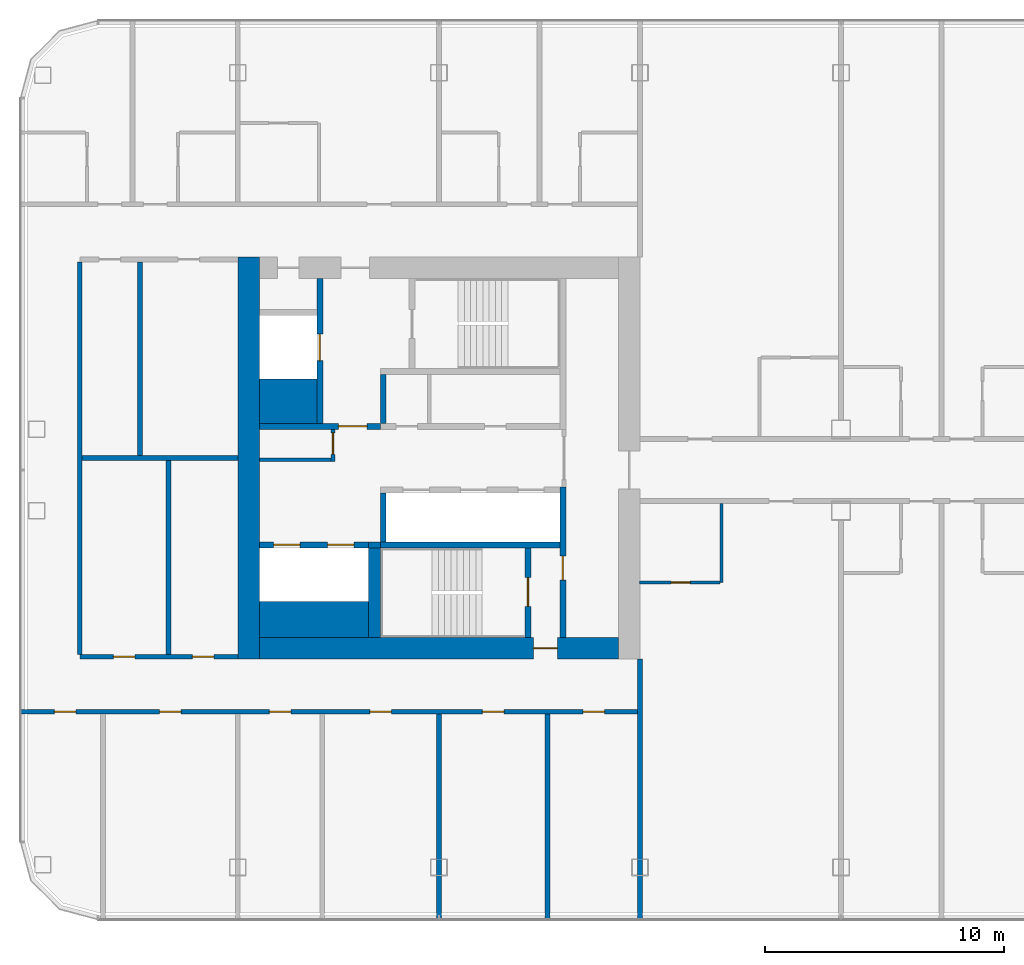
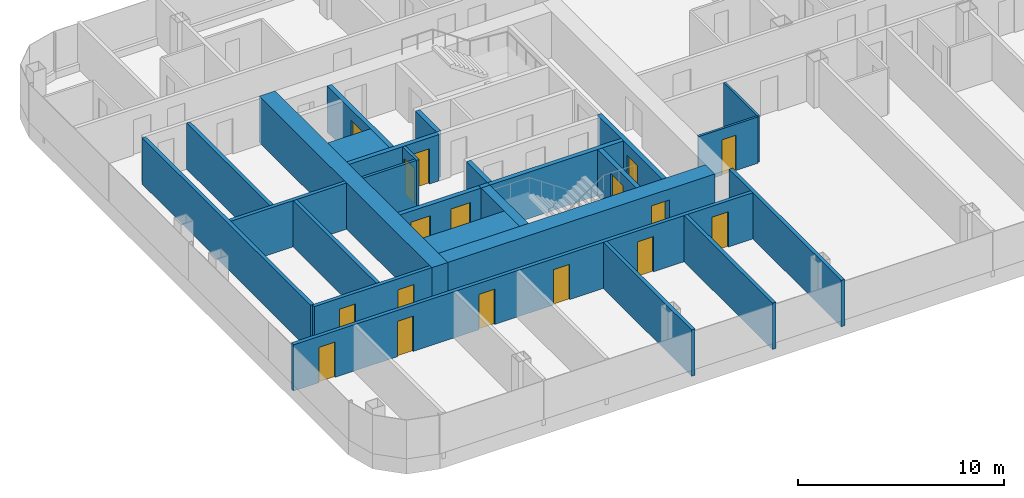
# One storey, part 12 of 26: 27 walls, 17 doors, 17 openings.
"""IFC4 building model written with IfcOpenShell, lengths in metres."""

from ifc_helpers import new_model, si_unit, direction, frame, frame_2d, origin, place, context, subcontext, project, spatial, rectangle, extrude, material, layer, layer_set, type_object, element, fill, save


model = new_model("IFC4")

# Units and contexts
model_context = context("Model", 3, precision=1e-05, world=origin(), true_north=direction((0.0, 1.0)))
body_context = subcontext(model_context, "Body", "Model", "MODEL_VIEW")
ifc_project = project(units=[si_unit("LENGTHUNIT", "METRE"), si_unit("AREAUNIT", "SQUARE_METRE"), si_unit("VOLUMEUNIT", "CUBIC_METRE"), si_unit("PLANEANGLEUNIT", "RADIAN"), si_unit("MASSUNIT", "GRAM", prefix="KILO")], contexts=[model_context])

# Site, building, storey
site_placement = place(None, origin())
site = spatial("IfcSite", under=ifc_project, at=site_placement, CompositionType="ELEMENT")
building_placement = place(site_placement, origin())
building = spatial("IfcBuilding", under=site, at=building_placement, Name="Hakoniwa Tower and Hamabe Station Hall", CompositionType="ELEMENT")
storey_placement = place(building_placement, frame((0.0, 0.0, 169.39990234375)))
storey = spatial("IfcBuildingStorey", under=building, at=storey_placement, Name="L48", CompositionType="ELEMENT", Elevation=169.39990234375)

# Wall, opening, door
ifc_material_1 = material(Name="Gypsum board partition", Category="gypsum")
ifc_layer_1 = layer(ifc_material_1, 0.125)
ifc_layer_set_1 = layer_set([ifc_layer_1], Name="Bathroom Partition 125")
wall_type_1 = type_object("IfcWallType", Name="Bathroom Partition 125", PredefinedType="PARTITIONING", material=ifc_layer_set_1)
wall_1_placement = place(storey_placement, frame((-16.81005859375, -5.199951171875, 0.0), z_axis=(0.0, 0.0, 1.0), x_axis=(1.0, 0.0, 0.0)))
wall_1 = element("IfcWall", 1, at=wall_1_placement, inside=storey, type_object=wall_type_1, Name="GW-L48-009", PredefinedType="PARTITIONING", context=body_context, shape_type="SweptSolid", body=[
    extrude(rectangle(XDim=3.34765625, YDim=0.125, at=frame_2d((1.673828125, 0.0))), origin(), (0.0, 0.0, 1.0), 2.75),
])
opening_1_placement = place(wall_1_placement, frame((1.31005859375, 0.0, 0.0)))
opening_1 = element("IfcOpeningElement", 2, at=opening_1_placement, cuts=wall_1, Name="Opening GD-G3C2-17", PredefinedType="OPENING", context=body_context, shape_type="SweptSolid", body=[
    extrude(rectangle(XDim=0.800048828125, YDim=2.10009765625, at=frame_2d((0.39990234375, 1.050048828125))), frame((0.0, 0.072509765625, 0.0), z_axis=(0.0, -1.0, 0.0), x_axis=(1.0, 0.0, 0.0)), (0.0, 0.0, 1.0), 0.14501953125),
])
ifc_material_2 = material(Name="Timber door leaf", Category="wood")
door_type_1 = type_object("IfcDoorType", Name="Bathroom Door 800", OperationType="SINGLE_SWING_LEFT", PredefinedType="DOOR", material=ifc_material_2)
door_1_placement = place(opening_1_placement, origin())
door_1 = element("IfcDoor", 3, at=door_1_placement, inside=storey, type_object=door_type_1, Name="Door GD-G3C2-17", OperationType="SINGLE_SWING_LEFT", OverallHeight=2.10009765625, OverallWidth=0.800048828125, PredefinedType="DOOR", context=body_context, shape_type="SweptSolid", body=[
    extrude(rectangle(XDim=0.800048828125, YDim=2.10009765625, at=frame_2d((0.39990234375, 1.050048828125))), frame((0.0, 0.02490234375, 0.0), z_axis=(0.0, -1.0, 0.0), x_axis=(1.0, 0.0, 0.0)), (0.0, 0.0, 1.0), 0.050048828125),
])
fill(opening_1, door_1)

# Wall
wall_2_placement = place(storey_placement, frame((-13.39990234375, -5.199951171875, 0.0), z_axis=(0.0, 0.0, 1.0), x_axis=(0.0, 1.0, 0.0)))
element("IfcWall", 4, at=wall_2_placement, inside=storey, type_object=wall_type_1, Name="GW-L48-055", PredefinedType="PARTITIONING", context=body_context, shape_type="SweptSolid", body=[
    extrude(rectangle(XDim=3.300048828125, YDim=0.125, at=frame_2d((1.64990234375, 0.0))), origin(), (0.0, 0.0, 1.0), 2.75),
])

# Wall, opening, door
ifc_material_3 = material(Name="Gypsum board partition")
ifc_layer_2 = layer(ifc_material_3, 0.14990234375)
ifc_layer_set_2 = layer_set([ifc_layer_2], Name="CORE PARTITION 150 EI 60")
wall_type_2 = type_object("IfcWallType", Name="CORE PARTITION 150 EI 60", PredefinedType="PARTITIONING", material=ifc_layer_set_2)
wall_3_placement = place(storey_placement, frame((-29.625, -0.14990234375, 0.0), z_axis=(0.0, 0.0, 1.0), x_axis=(0.0, 1.0, 0.0)))
wall_3 = element("IfcWall", 5, at=wall_3_placement, inside=storey, type_object=wall_type_2, Name="Core partition PW0 west", PredefinedType="PARTITIONING", context=body_context, shape_type="SweptSolid", body=[
    extrude(rectangle(XDim=1.349853515625, YDim=0.14990234375, at=frame_2d((0.6748046875, 0.0))), origin(), (0.0, 0.0, 1.0), 2.75),
])
opening_2_placement = place(wall_3_placement, frame((0.300048828125, 0.0, 0.0)))
opening_2 = element("IfcOpeningElement", 6, at=opening_2_placement, cuts=wall_3, Name="Opening CD-W-RM1-9", PredefinedType="OPENING", context=body_context, shape_type="SweptSolid", body=[
    extrude(rectangle(XDim=0.89990234375, YDim=2.10009765625, at=frame_2d((0.449951171875, 1.050048828125))), frame((0.0, 0.0849609375, 0.0), z_axis=(0.0, -1.0, 0.0), x_axis=(1.0, 0.0, 0.0)), (0.0, 0.0, 1.0), 0.169921875),
])
ifc_material_4 = material(Name="Steel fire door", Category="steel")
door_type_2 = type_object("IfcDoorType", Name="CORE DOOR 900 FD30", OperationType="NOTDEFINED", PredefinedType="DOOR", material=ifc_material_4)
door_2_placement = place(opening_2_placement, origin())
door_2 = element("IfcDoor", 7, at=door_2_placement, inside=storey, type_object=door_type_2, Name="Store room door", OperationType="SINGLE_SWING_LEFT", OverallHeight=2.10009765625, OverallWidth=0.89990234375, PredefinedType="DOOR", context=body_context, shape_type="SweptSolid", body=[
    extrude(rectangle(XDim=0.89990234375, YDim=2.10009765625, at=frame_2d((0.449951171875, 1.050048828125))), frame((0.0, 0.02490234375, 0.0), z_axis=(0.0, -1.0, 0.0), x_axis=(1.0, 0.0, 0.0)), (0.0, 0.0, 1.0), 0.050048828125),
])
fill(opening_2, door_2)

# Walls
wall_4_placement = place(storey_placement, frame((-32.699951171875, -0.074951171875, 0.0), z_axis=(0.0, 0.0, 1.0), x_axis=(1.0, 0.0, 0.0)))
element("IfcWall", 8, at=wall_4_placement, inside=storey, type_object=wall_type_2, Name="Core partition PS west", PredefinedType="PARTITIONING", context=body_context, shape_type="SweptSolid", body=[
    extrude(rectangle(XDim=3.0, YDim=0.14990234375, at=frame_2d((1.5, 0.0))), origin(), (0.0, 0.0, 1.0), 2.75),
])
ifc_material_5 = material(Name="Concrete C66", Category="concrete")
ifc_layer_3 = layer(ifc_material_5, 0.89990234375)
ifc_layer_set_3 = layer_set([ifc_layer_3], Name="CORE WALL 900 C66")
wall_type_3 = type_object("IfcWallType", Name="CORE WALL 900 C66", PredefinedType="SHEAR", material=ifc_layer_set_3)
wall_5_placement = place(storey_placement, frame((-33.14990234375, -8.39990234375, 0.0), z_axis=(0.0, 0.0, 1.0), x_axis=(0.0, 1.0, 0.0)))
element("IfcWall", 9, at=wall_5_placement, inside=storey, type_object=wall_type_3, Name="Core wall OUTER west", PredefinedType="SHEAR", context=body_context, shape_type="SweptSolid", body=[
    extrude(rectangle(XDim=16.7998046875, YDim=0.89990234375, at=frame_2d((8.39990234375, 0.0))), origin(), (0.0, 0.0, 1.0), 2.75),
])

# Wall, opening, door
wall_6_placement = place(storey_placement, frame((-32.699951171875, -7.949951171875, 0.0), z_axis=(0.0, 0.0, 1.0), x_axis=(1.0, 0.0, 0.0)))
wall_6 = element("IfcWall", 10, at=wall_6_placement, inside=storey, type_object=wall_type_3, Name="Core wall SOUTH west", PredefinedType="SHEAR", context=body_context, shape_type="SweptSolid", body=[
    extrude(rectangle(XDim=15.0, YDim=0.89990234375, at=frame_2d((7.5, 0.0))), origin(), (0.0, 0.0, 1.0), 2.75),
])
opening_3_placement = place(wall_6_placement, frame((11.449951171875, 0.0, 0.0)))
opening_3 = element("IfcOpeningElement", 11, at=opening_3_placement, cuts=wall_6, Name="Opening CD-W-FS3-10", PredefinedType="OPENING", context=body_context, shape_type="SweptSolid", body=[
    extrude(rectangle(XDim=1.0, YDim=2.10009765625, at=frame_2d((0.5, 1.050048828125))), frame((0.0, 0.4599609375, 0.0), z_axis=(0.0, -1.0, 0.0), x_axis=(1.0, 0.0, 0.0)), (0.0, 0.0, 1.0), 0.919921875),
])
ifc_material_6 = material(Name="Steel fire door", Category="steel")
door_type_3 = type_object("IfcDoorType", Name="CORE DOOR 1000 FD60", OperationType="NOTDEFINED", PredefinedType="DOOR", material=ifc_material_6)
door_3_placement = place(opening_3_placement, origin())
door_3 = element("IfcDoor", 12, at=door_3_placement, inside=storey, type_object=door_type_3, Name="Stair vestibule door", OperationType="SINGLE_SWING_LEFT", OverallHeight=2.10009765625, OverallWidth=1.0, PredefinedType="DOOR", context=body_context, shape_type="SweptSolid", body=[
    extrude(rectangle(XDim=1.0, YDim=2.10009765625, at=frame_2d((0.5, 1.050048828125))), frame((0.0, 0.02490234375, 0.0), z_axis=(0.0, -1.0, 0.0), x_axis=(1.0, 0.0, 0.0)), (0.0, 0.0, 1.0), 0.050048828125),
])
fill(opening_3, door_3)

# Walls
ifc_material_7 = material(Name="Concrete C66", Category="concrete")
ifc_layer_4 = layer(ifc_material_7, 1.5)
ifc_layer_set_4 = layer_set([ifc_layer_4], Name="CORE WEB WALL 1500 C66")
wall_type_4 = type_object("IfcWallType", Name="CORE WEB WALL 1500 C66", PredefinedType="SHEAR", material=ifc_layer_set_4)
wall_7_placement = place(storey_placement, frame((-32.699951171875, -6.75, 0.0), z_axis=(0.0, 0.0, 1.0), x_axis=(1.0, 0.0, 0.0)))
element("IfcWall", 13, at=wall_7_placement, inside=storey, type_object=wall_type_4, Name="Core wall SER west", PredefinedType="SHEAR", context=body_context, shape_type="SweptSolid", body=[
    extrude(rectangle(XDim=4.550048828125, YDim=1.5, at=frame_2d((2.27490234375, 0.0))), origin(), (0.0, 0.0, 1.0), 2.75),
])
ifc_material_8 = material(Name="Concrete C66", Category="concrete")
ifc_layer_5 = layer(ifc_material_8, 1.85009765625)
ifc_layer_set_5 = layer_set([ifc_layer_5], Name="CORE WEB WALL 1850 C66")
wall_type_5 = type_object("IfcWallType", Name="CORE WEB WALL 1850 C66", PredefinedType="SHEAR", material=ifc_layer_set_5)
wall_8_placement = place(storey_placement, frame((-32.699951171875, 2.375, 0.0), z_axis=(0.0, 0.0, 1.0), x_axis=(1.0, 0.0, 0.0)))
element("IfcWall", 14, at=wall_8_placement, inside=storey, type_object=wall_type_5, Name="Core wall CA west", PredefinedType="SHEAR", context=body_context, shape_type="SweptSolid", body=[
    extrude(rectangle(XDim=2.39990234375, YDim=1.85009765625, at=frame_2d((1.199951171875, 0.0))), origin(), (0.0, 0.0, 1.0), 2.75),
])

# Wall, opening, door
ifc_material_9 = material(Name="Concrete C66", Category="concrete")
ifc_layer_6 = layer(ifc_material_9, 0.25)
ifc_layer_set_6 = layer_set([ifc_layer_6], Name="CORE WEB WALL 250 C66")
wall_type_6 = type_object("IfcWallType", Name="CORE WEB WALL 250 C66", PredefinedType="SHEAR", material=ifc_layer_set_6)
wall_9_placement = place(storey_placement, frame((-20.02490234375, -7.5, 0.0), z_axis=(0.0, 0.0, 1.0), x_axis=(0.0, 1.0, 0.0)))
wall_9 = element("IfcWall", 15, at=wall_9_placement, inside=storey, type_object=wall_type_6, Name="Core wall W1S west", PredefinedType="SHEAR", context=body_context, shape_type="SweptSolid", body=[
    extrude(rectangle(XDim=6.300048828125, YDim=0.25, at=frame_2d((3.14990234375, 0.0))), origin(), (0.0, 0.0, 1.0), 2.75),
])
opening_4_placement = place(wall_9_placement, frame((2.39990234375, 0.0, 0.0)))
opening_4 = element("IfcOpeningElement", 16, at=opening_4_placement, cuts=wall_9, Name="Opening CD-W-VS-10", PredefinedType="OPENING", context=body_context, shape_type="SweptSolid", body=[
    extrude(rectangle(XDim=1.0, YDim=2.10009765625, at=frame_2d((0.5, 1.050048828125))), frame((0.0, 0.135009765625, 0.0), z_axis=(0.0, -1.0, 0.0), x_axis=(1.0, 0.0, 0.0)), (0.0, 0.0, 1.0), 0.27001953125),
])
door_4_placement = place(opening_4_placement, origin())
door_4 = element("IfcDoor", 17, at=door_4_placement, inside=storey, type_object=door_type_3, Name="Stair vestibule door", OperationType="SINGLE_SWING_LEFT", OverallHeight=2.10009765625, OverallWidth=1.0, PredefinedType="DOOR", context=body_context, shape_type="SweptSolid", body=[
    extrude(rectangle(XDim=1.0, YDim=2.10009765625, at=frame_2d((0.5, 1.050048828125))), frame((0.0, 0.02490234375, 0.0), z_axis=(0.0, -1.0, 0.0), x_axis=(1.0, 0.0, 0.0)), (0.0, 0.0, 1.0), 0.050048828125),
])
fill(opening_4, door_4)

# Wall
wall_10_placement = place(storey_placement, frame((-27.52490234375, 1.449951171875, 0.0), z_axis=(0.0, 0.0, 1.0), x_axis=(0.0, 1.0, 0.0)))
element("IfcWall", 18, at=wall_10_placement, inside=storey, type_object=wall_type_6, Name="Core wall NE west", PredefinedType="SHEAR", context=body_context, shape_type="SweptSolid", body=[
    extrude(rectangle(XDim=2.050048828125, YDim=0.25, at=frame_2d((1.02490234375, 0.0))), origin(), (0.0, 0.0, 1.0), 2.75),
])

# Wall, opening, door
wall_11_placement = place(storey_placement, frame((-32.699951171875, 1.324951171875, 0.0), z_axis=(0.0, 0.0, 1.0), x_axis=(1.0, 0.0, 0.0)))
wall_11 = element("IfcWall", 19, at=wall_11_placement, inside=storey, type_object=wall_type_6, Name="Core wall ELN west", PredefinedType="SHEAR", context=body_context, shape_type="SweptSolid", body=[
    extrude(rectangle(XDim=5.050048828125, YDim=0.25, at=frame_2d((2.52490234375, 0.0))), origin(), (0.0, 0.0, 1.0), 2.75),
])
opening_5_placement = place(wall_11_placement, frame((3.300048828125, 0.0, 0.0)))
opening_5 = element("IfcOpeningElement", 20, at=opening_5_placement, cuts=wall_11, Name="Opening CD-W-FL-12", PredefinedType="OPENING", context=body_context, shape_type="SweptSolid", body=[
    extrude(rectangle(XDim=1.199951171875, YDim=2.10009765625, at=frame_2d((0.60009765625, 1.050048828125))), frame((0.0, 0.135009765625, 0.0), z_axis=(0.0, -1.0, 0.0), x_axis=(1.0, 0.0, 0.0)), (0.0, 0.0, 1.0), 0.27001953125),
])
ifc_material_10 = material(Name="Steel fire door", Category="steel")
door_type_4 = type_object("IfcDoorType", Name="CORE DOOR 1200 FD60", OperationType="DOUBLE_DOOR_SINGLE_SWING", PredefinedType="DOOR", material=ifc_material_10)
door_5_placement = place(opening_5_placement, origin())
door_5 = element("IfcDoor", 21, at=door_5_placement, inside=storey, type_object=door_type_4, Name="Stair vestibule door to the fire-fighting lobby", OperationType="DOUBLE_DOOR_SINGLE_SWING", OverallHeight=2.10009765625, OverallWidth=1.199951171875, PredefinedType="DOOR", context=body_context, shape_type="SweptSolid", body=[
    extrude(rectangle(XDim=1.199951171875, YDim=2.10009765625, at=frame_2d((0.60009765625, 1.050048828125))), frame((0.0, 0.02490234375, 0.0), z_axis=(0.0, -1.0, 0.0), x_axis=(1.0, 0.0, 0.0)), (0.0, 0.0, 1.0), 0.050048828125),
])
fill(opening_5, door_5)

wall_12_placement = place(storey_placement, frame((-30.175048828125, 1.449951171875, 0.0), z_axis=(0.0, 0.0, 1.0), x_axis=(0.0, 1.0, 0.0)))
wall_12 = element("IfcWall", 22, at=wall_12_placement, inside=storey, type_object=wall_type_6, Name="Core wall FFF west", PredefinedType="SHEAR", context=body_context, shape_type="SweptSolid", body=[
    extrude(rectangle(XDim=6.050048828125, YDim=0.25, at=frame_2d((3.02490234375, 0.0))), origin(), (0.0, 0.0, 1.0), 2.75),
])
opening_6_placement = place(wall_12_placement, frame((2.625, 0.0, 0.0)))
opening_6 = element("IfcOpeningElement", 23, at=opening_6_placement, cuts=wall_12, Name="Opening LD-FF1", PredefinedType="OPENING", context=body_context, shape_type="SweptSolid", body=[
    extrude(rectangle(XDim=1.10009765625, YDim=2.10009765625, at=frame_2d((0.550048828125, 1.050048828125))), frame((0.0, 0.135009765625, 0.0), z_axis=(0.0, -1.0, 0.0), x_axis=(1.0, 0.0, 0.0)), (0.0, 0.0, 1.0), 0.27001953125),
])
ifc_material_11 = material(Name="Stainless steel SUS304", Category="steel")
door_type_5 = type_object("IfcDoorType", Name="LIFT LANDING DOOR 1100 FD60", OperationType="DOUBLE_DOOR_SLIDING", PredefinedType="DOOR", material=ifc_material_11)
door_6_placement = place(opening_6_placement, origin())
door_6 = element("IfcDoor", 24, at=door_6_placement, inside=storey, type_object=door_type_5, Name="Lift landing door FF1 L48", OperationType="DOUBLE_DOOR_SLIDING", OverallHeight=2.10009765625, OverallWidth=1.10009765625, PredefinedType="DOOR", context=body_context, shape_type="SweptSolid", body=[
    extrude(rectangle(XDim=1.10009765625, YDim=2.10009765625, at=frame_2d((0.550048828125, 1.050048828125))), frame((0.0, 0.02490234375, 0.0), z_axis=(0.0, -1.0, 0.0), x_axis=(1.0, 0.0, 0.0)), (0.0, 0.0, 1.0), 0.050048828125),
])
fill(opening_6, door_6)

# Walls
wall_13_placement = place(storey_placement, frame((-27.52490234375, -3.5, 0.0), z_axis=(0.0, 0.0, 1.0), x_axis=(0.0, 1.0, 0.0)))
element("IfcWall", 25, at=wall_13_placement, inside=storey, type_object=wall_type_6, Name="Core wall SE west", PredefinedType="SHEAR", context=body_context, shape_type="SweptSolid", body=[
    extrude(rectangle(XDim=2.050048828125, YDim=0.25, at=frame_2d((1.02490234375, 0.0))), origin(), (0.0, 0.0, 1.0), 2.75),
])
wall_14_placement = place(storey_placement, frame((-27.64990234375, -3.625, 0.0), z_axis=(0.0, 0.0, 1.0), x_axis=(1.0, 0.0, 0.0)))
element("IfcWall", 26, at=wall_14_placement, inside=storey, type_object=wall_type_6, Name="Core wall SR west", PredefinedType="SHEAR", context=body_context, shape_type="SweptSolid", body=[
    extrude(rectangle(XDim=7.5, YDim=0.25, at=frame_2d((3.75, 0.0))), origin(), (0.0, 0.0, 1.0), 2.75),
])

# Wall, opening, door
wall_15_placement = place(storey_placement, frame((-21.47509765625, -7.5, 0.0), z_axis=(0.0, 0.0, 1.0), x_axis=(0.0, 1.0, 0.0)))
wall_15 = element("IfcWall", 27, at=wall_15_placement, inside=storey, type_object=wall_type_6, Name="Core wall VE west", PredefinedType="SHEAR", context=body_context, shape_type="SweptSolid", body=[
    extrude(rectangle(XDim=3.75, YDim=0.25, at=frame_2d((1.875, 0.0))), origin(), (0.0, 0.0, 1.0), 2.75),
])
opening_7_placement = place(wall_15_placement, frame((1.300048828125, 0.0, 0.0)))
opening_7 = element("IfcOpeningElement", 28, at=opening_7_placement, cuts=wall_15, Name="Opening CD-W-SS-12", PredefinedType="OPENING", context=body_context, shape_type="SweptSolid", body=[
    extrude(rectangle(XDim=1.199951171875, YDim=2.10009765625, at=frame_2d((0.60009765625, 1.050048828125))), frame((0.0, 0.135009765625, 0.0), z_axis=(0.0, -1.0, 0.0), x_axis=(1.0, 0.0, 0.0)), (0.0, 0.0, 1.0), 0.27001953125),
])
door_7_placement = place(opening_7_placement, origin())
door_7 = element("IfcDoor", 29, at=door_7_placement, inside=storey, type_object=door_type_4, Name="Escape stair door", OperationType="DOUBLE_DOOR_SINGLE_SWING", OverallHeight=2.10009765625, OverallWidth=1.199951171875, PredefinedType="DOOR", context=body_context, shape_type="SweptSolid", body=[
    extrude(rectangle(XDim=1.199951171875, YDim=2.10009765625, at=frame_2d((0.60009765625, 1.050048828125))), frame((0.0, 0.02490234375, 0.0), z_axis=(0.0, -1.0, 0.0), x_axis=(1.0, 0.0, 0.0)), (0.0, 0.0, 1.0), 0.050048828125),
])
fill(opening_7, door_7)

# Wall, openings, doors
wall_16_placement = place(storey_placement, frame((-32.699951171875, -3.625, 0.0), z_axis=(0.0, 0.0, 1.0), x_axis=(1.0, 0.0, 0.0)))
wall_16 = element("IfcWall", 30, at=wall_16_placement, inside=storey, type_object=wall_type_6, Name="Core wall SEF west", PredefinedType="SHEAR", context=body_context, shape_type="SweptSolid", body=[
    extrude(rectangle(XDim=4.550048828125, YDim=0.25, at=frame_2d((2.27490234375, 0.0))), origin(), (0.0, 0.0, 1.0), 2.75),
])
opening_8_placement = place(wall_16_placement, frame((2.85009765625, 0.0, 0.0)))
opening_8 = element("IfcOpeningElement", 31, at=opening_8_placement, cuts=wall_16, Name="Opening LD-SV1", PredefinedType="OPENING", context=body_context, shape_type="SweptSolid", body=[
    extrude(rectangle(XDim=1.10009765625, YDim=2.10009765625, at=frame_2d((0.550048828125, 1.050048828125))), frame((0.0, 0.135009765625, 0.0), z_axis=(0.0, -1.0, 0.0), x_axis=(1.0, 0.0, 0.0)), (0.0, 0.0, 1.0), 0.27001953125),
])
opening_9_placement = place(wall_16_placement, frame((0.60009765625, 0.0, 0.0)))
opening_9 = element("IfcOpeningElement", 32, at=opening_9_placement, cuts=wall_16, Name="Opening LD-SV2", PredefinedType="OPENING", context=body_context, shape_type="SweptSolid", body=[
    extrude(rectangle(XDim=1.10009765625, YDim=2.10009765625, at=frame_2d((0.550048828125, 1.050048828125))), frame((0.0, 0.135009765625, 0.0), z_axis=(0.0, -1.0, 0.0), x_axis=(1.0, 0.0, 0.0)), (0.0, 0.0, 1.0), 0.27001953125),
])
door_8_placement = place(opening_8_placement, origin())
door_8 = element("IfcDoor", 33, at=door_8_placement, inside=storey, type_object=door_type_5, Name="Lift landing door SV1 L48", OperationType="DOUBLE_DOOR_SLIDING", OverallHeight=2.10009765625, OverallWidth=1.10009765625, PredefinedType="DOOR", context=body_context, shape_type="SweptSolid", body=[
    extrude(rectangle(XDim=1.10009765625, YDim=2.10009765625, at=frame_2d((0.550048828125, 1.050048828125))), frame((0.0, 0.02490234375, 0.0), z_axis=(0.0, -1.0, 0.0), x_axis=(1.0, 0.0, 0.0)), (0.0, 0.0, 1.0), 0.050048828125),
])
fill(opening_8, door_8)
door_9_placement = place(opening_9_placement, origin())
door_9 = element("IfcDoor", 34, at=door_9_placement, inside=storey, type_object=door_type_5, Name="Lift landing door SV2 L48", OperationType="DOUBLE_DOOR_SLIDING", OverallHeight=2.10009765625, OverallWidth=1.10009765625, PredefinedType="DOOR", context=body_context, shape_type="SweptSolid", body=[
    extrude(rectangle(XDim=1.10009765625, YDim=2.10009765625, at=frame_2d((0.550048828125, 1.050048828125))), frame((0.0, 0.02490234375, 0.0), z_axis=(0.0, -1.0, 0.0), x_axis=(1.0, 0.0, 0.0)), (0.0, 0.0, 1.0), 0.050048828125),
])
fill(opening_9, door_9)

# Walls
wall_17_placement = place(storey_placement, frame((-28.14990234375, -3.625, 0.0), z_axis=(0.0, 0.0, 1.0), x_axis=(1.0, 0.0, 0.0)))
element("IfcWall", 35, at=wall_17_placement, inside=storey, type_object=wall_type_6, Name="Core wall SRK west", PredefinedType="SHEAR", context=body_context, shape_type="SweptSolid", body=[
    extrude(rectangle(XDim=0.5, YDim=0.25, at=frame_2d((0.25, 0.0))), origin(), (0.0, 0.0, 1.0), 2.75),
])
ifc_material_12 = material(Name="Concrete C66", Category="concrete")
ifc_layer_7 = layer(ifc_material_12, 0.5)
ifc_layer_set_7 = layer_set([ifc_layer_7], Name="CORE WEB WALL 500 C66")
wall_type_7 = type_object("IfcWallType", Name="CORE WEB WALL 500 C66", PredefinedType="SHEAR", material=ifc_layer_set_7)
wall_18_placement = place(storey_placement, frame((-27.89990234375, -7.5, 0.0), z_axis=(0.0, 0.0, 1.0), x_axis=(0.0, 1.0, 0.0)))
element("IfcWall", 36, at=wall_18_placement, inside=storey, type_object=wall_type_7, Name="Core wall SSE west", PredefinedType="SHEAR", context=body_context, shape_type="SweptSolid", body=[
    extrude(rectangle(XDim=3.75, YDim=0.5, at=frame_2d((1.875, 0.0))), origin(), (0.0, 0.0, 1.0), 2.75),
])

# Wall, openings, doors
ifc_material_13 = material(Name="Fire-rated gypsum board partition", Category="gypsum")
ifc_layer_8 = layer(ifc_material_13, 0.199951171875)
ifc_layer_set_8 = layer_set([ifc_layer_8], Name="Corridor Wall 200")
wall_type_8 = type_object("IfcWallType", Name="Corridor Wall 200", PredefinedType="PARTITIONING", material=ifc_layer_set_8)
wall_19_placement = place(storey_placement, frame((-42.699951171875, -10.60009765625, 0.0), z_axis=(0.0, 0.0, 1.0), x_axis=(1.0, 0.0, 0.0)))
wall_19 = element("IfcWall", 37, at=wall_19_placement, inside=storey, type_object=wall_type_8, Name="GW-L48-005", PredefinedType="PARTITIONING", context=body_context, shape_type="SweptSolid", body=[
    extrude(rectangle(XDim=25.89990234375, YDim=0.199951171875, at=frame_2d((12.949951171875, 0.0))), origin(), (0.0, 0.0, 1.0), 2.75),
])
opening_10_placement = place(wall_19_placement, frame((1.43505859375, 0.0, 0.0)))
opening_10 = element("IfcOpeningElement", 38, at=opening_10_placement, cuts=wall_19, Name="Opening GD-G3C2-03", PredefinedType="OPENING", context=body_context, shape_type="SweptSolid", body=[
    extrude(rectangle(XDim=0.89990234375, YDim=2.10009765625, at=frame_2d((0.449951171875, 1.050048828125))), frame((0.0, 0.10986328125, 0.0), z_axis=(0.0, -1.0, 0.0), x_axis=(1.0, 0.0, 0.0)), (0.0, 0.0, 1.0), 0.219970703125),
])
opening_11_placement = place(wall_19_placement, frame((5.8349609375, 0.0, 0.0)))
opening_11 = element("IfcOpeningElement", 39, at=opening_11_placement, cuts=wall_19, Name="Opening GD-G3C2-04", PredefinedType="OPENING", context=body_context, shape_type="SweptSolid", body=[
    extrude(rectangle(XDim=0.89990234375, YDim=2.10009765625, at=frame_2d((0.449951171875, 1.050048828125))), frame((0.0, 0.10986328125, 0.0), z_axis=(0.0, -1.0, 0.0), x_axis=(1.0, 0.0, 0.0)), (0.0, 0.0, 1.0), 0.219970703125),
])
opening_12_placement = place(wall_19_placement, frame((10.4150390625, 0.0, 0.0)))
opening_12 = element("IfcOpeningElement", 40, at=opening_12_placement, cuts=wall_19, Name="Opening GD-G3C2-05", PredefinedType="OPENING", context=body_context, shape_type="SweptSolid", body=[
    extrude(rectangle(XDim=0.89990234375, YDim=2.10009765625, at=frame_2d((0.449951171875, 1.050048828125))), frame((0.0, 0.10986328125, 0.0), z_axis=(0.0, -1.0, 0.0), x_axis=(1.0, 0.0, 0.0)), (0.0, 0.0, 1.0), 0.219970703125),
])
opening_13_placement = place(wall_19_placement, frame((14.614990234375, 0.0, 0.0)))
opening_13 = element("IfcOpeningElement", 41, at=opening_13_placement, cuts=wall_19, Name="Opening GD-G3C2-06", PredefinedType="OPENING", context=body_context, shape_type="SweptSolid", body=[
    extrude(rectangle(XDim=0.89990234375, YDim=2.10009765625, at=frame_2d((0.449951171875, 1.050048828125))), frame((0.0, 0.10986328125, 0.0), z_axis=(0.0, -1.0, 0.0), x_axis=(1.0, 0.0, 0.0)), (0.0, 0.0, 1.0), 0.219970703125),
])
opening_14_placement = place(wall_19_placement, frame((19.320068359375, 0.0, 0.0)))
opening_14 = element("IfcOpeningElement", 42, at=opening_14_placement, cuts=wall_19, Name="Opening GD-G3C2-07", PredefinedType="OPENING", context=body_context, shape_type="SweptSolid", body=[
    extrude(rectangle(XDim=0.89990234375, YDim=2.10009765625, at=frame_2d((0.449951171875, 1.050048828125))), frame((0.0, 0.10986328125, 0.0), z_axis=(0.0, -1.0, 0.0), x_axis=(1.0, 0.0, 0.0)), (0.0, 0.0, 1.0), 0.219970703125),
])
opening_15_placement = place(wall_19_placement, frame((23.52001953125, 0.0, 0.0)))
opening_15 = element("IfcOpeningElement", 43, at=opening_15_placement, cuts=wall_19, Name="Opening GD-G3C2-08", PredefinedType="OPENING", context=body_context, shape_type="SweptSolid", body=[
    extrude(rectangle(XDim=0.89990234375, YDim=2.10009765625, at=frame_2d((0.449951171875, 1.050048828125))), frame((0.0, 0.10986328125, 0.0), z_axis=(0.0, -1.0, 0.0), x_axis=(1.0, 0.0, 0.0)), (0.0, 0.0, 1.0), 0.219970703125),
])
ifc_material_14 = material(Name="Timber door leaf", Category="wood")
door_type_6 = type_object("IfcDoorType", Name="Service Door 900", OperationType="SINGLE_SWING_LEFT", PredefinedType="DOOR", material=ifc_material_14)
door_10_placement = place(opening_10_placement, origin())
door_10 = element("IfcDoor", 44, at=door_10_placement, inside=storey, type_object=door_type_6, Name="Door GD-G3C2-03", OperationType="SINGLE_SWING_RIGHT", OverallHeight=2.10009765625, OverallWidth=0.89990234375, PredefinedType="DOOR", context=body_context, shape_type="SweptSolid", body=[
    extrude(rectangle(XDim=0.89990234375, YDim=2.10009765625, at=frame_2d((0.449951171875, 1.050048828125))), frame((0.0, 0.02490234375, 0.0), z_axis=(0.0, -1.0, 0.0), x_axis=(1.0, 0.0, 0.0)), (0.0, 0.0, 1.0), 0.050048828125),
])
fill(opening_10, door_10)
door_11_placement = place(opening_11_placement, origin())
door_11 = element("IfcDoor", 45, at=door_11_placement, inside=storey, type_object=door_type_6, Name="Door GD-G3C2-04", OperationType="SINGLE_SWING_LEFT", OverallHeight=2.10009765625, OverallWidth=0.89990234375, PredefinedType="DOOR", context=body_context, shape_type="SweptSolid", body=[
    extrude(rectangle(XDim=0.89990234375, YDim=2.10009765625, at=frame_2d((0.449951171875, 1.050048828125))), frame((0.0, 0.02490234375, 0.0), z_axis=(0.0, -1.0, 0.0), x_axis=(1.0, 0.0, 0.0)), (0.0, 0.0, 1.0), 0.050048828125),
])
fill(opening_11, door_11)
door_12_placement = place(opening_12_placement, origin())
door_12 = element("IfcDoor", 46, at=door_12_placement, inside=storey, type_object=door_type_6, Name="Door GD-G3C2-05", OperationType="SINGLE_SWING_RIGHT", OverallHeight=2.10009765625, OverallWidth=0.89990234375, PredefinedType="DOOR", context=body_context, shape_type="SweptSolid", body=[
    extrude(rectangle(XDim=0.89990234375, YDim=2.10009765625, at=frame_2d((0.449951171875, 1.050048828125))), frame((0.0, 0.02490234375, 0.0), z_axis=(0.0, -1.0, 0.0), x_axis=(1.0, 0.0, 0.0)), (0.0, 0.0, 1.0), 0.050048828125),
])
fill(opening_12, door_12)
door_13_placement = place(opening_13_placement, origin())
door_13 = element("IfcDoor", 47, at=door_13_placement, inside=storey, type_object=door_type_6, Name="Door GD-G3C2-06", OperationType="SINGLE_SWING_LEFT", OverallHeight=2.10009765625, OverallWidth=0.89990234375, PredefinedType="DOOR", context=body_context, shape_type="SweptSolid", body=[
    extrude(rectangle(XDim=0.89990234375, YDim=2.10009765625, at=frame_2d((0.449951171875, 1.050048828125))), frame((0.0, 0.02490234375, 0.0), z_axis=(0.0, -1.0, 0.0), x_axis=(1.0, 0.0, 0.0)), (0.0, 0.0, 1.0), 0.050048828125),
])
fill(opening_13, door_13)
door_14_placement = place(opening_14_placement, origin())
door_14 = element("IfcDoor", 48, at=door_14_placement, inside=storey, type_object=door_type_6, Name="Door GD-G3C2-07", OperationType="SINGLE_SWING_RIGHT", OverallHeight=2.10009765625, OverallWidth=0.89990234375, PredefinedType="DOOR", context=body_context, shape_type="SweptSolid", body=[
    extrude(rectangle(XDim=0.89990234375, YDim=2.10009765625, at=frame_2d((0.449951171875, 1.050048828125))), frame((0.0, 0.02490234375, 0.0), z_axis=(0.0, -1.0, 0.0), x_axis=(1.0, 0.0, 0.0)), (0.0, 0.0, 1.0), 0.050048828125),
])
fill(opening_14, door_14)
door_15_placement = place(opening_15_placement, origin())
door_15 = element("IfcDoor", 49, at=door_15_placement, inside=storey, type_object=door_type_6, Name="Door GD-G3C2-08", OperationType="SINGLE_SWING_LEFT", OverallHeight=2.10009765625, OverallWidth=0.89990234375, PredefinedType="DOOR", context=body_context, shape_type="SweptSolid", body=[
    extrude(rectangle(XDim=0.89990234375, YDim=2.10009765625, at=frame_2d((0.449951171875, 1.050048828125))), frame((0.0, 0.02490234375, 0.0), z_axis=(0.0, -1.0, 0.0), x_axis=(1.0, 0.0, 0.0)), (0.0, 0.0, 1.0), 0.050048828125),
])
fill(opening_15, door_15)

wall_20_placement = place(storey_placement, frame((-40.199951171875, -8.300048828125, 0.0), z_axis=(0.0, 0.0, 1.0), x_axis=(1.0, 0.0, 0.0)))
wall_20 = element("IfcWall", 50, at=wall_20_placement, inside=storey, type_object=wall_type_8, Name="GW-L48-007", PredefinedType="PARTITIONING", context=body_context, shape_type="SweptSolid", body=[
    extrude(rectangle(XDim=6.599853515625, YDim=0.199951171875, at=frame_2d((3.2998046875, 0.0))), origin(), (0.0, 0.0, 1.0), 2.75),
])
opening_16_placement = place(wall_20_placement, frame((1.39990234375, 0.0, 0.0)))
opening_16 = element("IfcOpeningElement", 51, at=opening_16_placement, cuts=wall_20, Name="Opening GD-G3C2-13", PredefinedType="OPENING", context=body_context, shape_type="SweptSolid", body=[
    extrude(rectangle(XDim=0.89990234375, YDim=2.10009765625, at=frame_2d((0.449951171875, 1.050048828125))), frame((0.0, 0.10986328125, 0.0), z_axis=(0.0, -1.0, 0.0), x_axis=(1.0, 0.0, 0.0)), (0.0, 0.0, 1.0), 0.219970703125),
])
opening_17_placement = place(wall_20_placement, frame((4.699951171875, 0.0, 0.0)))
opening_17 = element("IfcOpeningElement", 52, at=opening_17_placement, cuts=wall_20, Name="Opening GD-G3C2-14", PredefinedType="OPENING", context=body_context, shape_type="SweptSolid", body=[
    extrude(rectangle(XDim=0.89990234375, YDim=2.10009765625, at=frame_2d((0.449951171875, 1.050048828125))), frame((0.0, 0.10986328125, 0.0), z_axis=(0.0, -1.0, 0.0), x_axis=(1.0, 0.0, 0.0)), (0.0, 0.0, 1.0), 0.219970703125),
])
door_16_placement = place(opening_16_placement, origin())
door_16 = element("IfcDoor", 53, at=door_16_placement, inside=storey, type_object=door_type_6, Name="Door GD-G3C2-13", OperationType="SINGLE_SWING_RIGHT", OverallHeight=2.10009765625, OverallWidth=0.89990234375, PredefinedType="DOOR", context=body_context, shape_type="SweptSolid", body=[
    extrude(rectangle(XDim=0.89990234375, YDim=2.10009765625, at=frame_2d((0.449951171875, 1.050048828125))), frame((0.0, 0.02490234375, 0.0), z_axis=(0.0, -1.0, 0.0), x_axis=(1.0, 0.0, 0.0)), (0.0, 0.0, 1.0), 0.050048828125),
])
fill(opening_16, door_16)
door_17_placement = place(opening_17_placement, origin())
door_17 = element("IfcDoor", 54, at=door_17_placement, inside=storey, type_object=door_type_6, Name="Door GD-G3C2-14", OperationType="SINGLE_SWING_RIGHT", OverallHeight=2.10009765625, OverallWidth=0.89990234375, PredefinedType="DOOR", context=body_context, shape_type="SweptSolid", body=[
    extrude(rectangle(XDim=0.89990234375, YDim=2.10009765625, at=frame_2d((0.449951171875, 1.050048828125))), frame((0.0, 0.02490234375, 0.0), z_axis=(0.0, -1.0, 0.0), x_axis=(1.0, 0.0, 0.0)), (0.0, 0.0, 1.0), 0.050048828125),
])
fill(opening_17, door_17)

# Walls
ifc_material_15 = material(Name="Fire-rated gypsum board partition", Category="gypsum")
ifc_layer_9 = layer(ifc_material_15, 0.199951171875)
ifc_layer_set_9 = layer_set([ifc_layer_9], Name="Party Wall 200")
wall_type_9 = type_object("IfcWallType", Name="Party Wall 200", PredefinedType="PARTITIONING", material=ifc_layer_set_9)
wall_21_placement = place(storey_placement, frame((-40.10009765625, 0.0, 0.0), z_axis=(0.0, 0.0, 1.0), x_axis=(1.0, 0.0, 0.0)))
element("IfcWall", 55, at=wall_21_placement, inside=storey, type_object=wall_type_9, Name="GW-L48-015", PredefinedType="PARTITIONING", context=body_context, shape_type="SweptSolid", body=[
    extrude(rectangle(XDim=6.5, YDim=0.199951171875, at=frame_2d((3.25, 0.0))), origin(), (0.0, 0.0, 1.0), 2.75),
])
wall_22_placement = place(storey_placement, frame((-40.199951171875, -8.199951171875, 0.0), z_axis=(0.0, 0.0, 1.0), x_axis=(0.0, 1.0, 0.0)))
element("IfcWall", 56, at=wall_22_placement, inside=storey, type_object=wall_type_9, Name="GW-L48-036", PredefinedType="PARTITIONING", context=body_context, shape_type="SweptSolid", body=[
    extrude(rectangle(XDim=16.39990234375, YDim=0.199951171875, at=frame_2d((8.199951171875, 0.0))), origin(), (0.0, 0.0, 1.0), 2.75),
])
for number, where, z_axis, x_axis, name in (
    (57, (-37.68994140625, 0.0, 0.0), (0.0, 0.0, 1.0), (0.0, 1.0, 0.0), "GW-L48-040"),
    (58, (-36.5, -8.199951171875, 0.0), (0.0, 0.0, 1.0), (0.0, 1.0, 0.0), "GW-L48-041"),
):
    element("IfcWall", number, at=place(storey_placement, frame(where, z_axis=z_axis, x_axis=x_axis)), inside=storey, type_object=wall_type_9, Name=name, PredefinedType="PARTITIONING", context=body_context, shape_type="SweptSolid", body=[
        extrude(rectangle(XDim=8.199951171875, YDim=0.199951171875, at=frame_2d((4.10009765625, 0.0))), origin(), (0.0, 0.0, 1.0), 2.75),
    ])
for number, where, z_axis, x_axis, name in (
    (59, (-25.199951171875, -19.300048828125, 0.0), (0.0, 0.0, 1.0), (0.0, 1.0, 0.0), "GW-L48-047"),
    (60, (-20.659912109375, -19.300048828125, 0.0), (0.0, 0.0, 1.0), (0.0, 1.0, 0.0), "GW-L48-051"),
):
    element("IfcWall", number, at=place(storey_placement, frame(where, z_axis=z_axis, x_axis=x_axis)), inside=storey, type_object=wall_type_9, Name=name, PredefinedType="PARTITIONING", context=body_context, shape_type="SweptSolid", body=[
        extrude(rectangle(XDim=8.60009765625, YDim=0.199951171875, at=frame_2d((4.300048828125, 0.0))), origin(), (0.0, 0.0, 1.0), 2.75),
    ])
wall_23_placement = place(storey_placement, frame((-16.800048828125, -19.300048828125, 0.0), z_axis=(0.0, 0.0, 1.0), x_axis=(0.0, 1.0, 0.0)))
element("IfcWall", 61, at=wall_23_placement, inside=storey, type_object=wall_type_9, Name="GW-L48-053", PredefinedType="PARTITIONING", context=body_context, shape_type="SweptSolid", body=[
    extrude(rectangle(XDim=10.91015625, YDim=0.199951171875, at=frame_2d((5.455078125, 0.0))), origin(), (0.0, 0.0, 1.0), 2.75),
])

save(model, "model.ifc")
